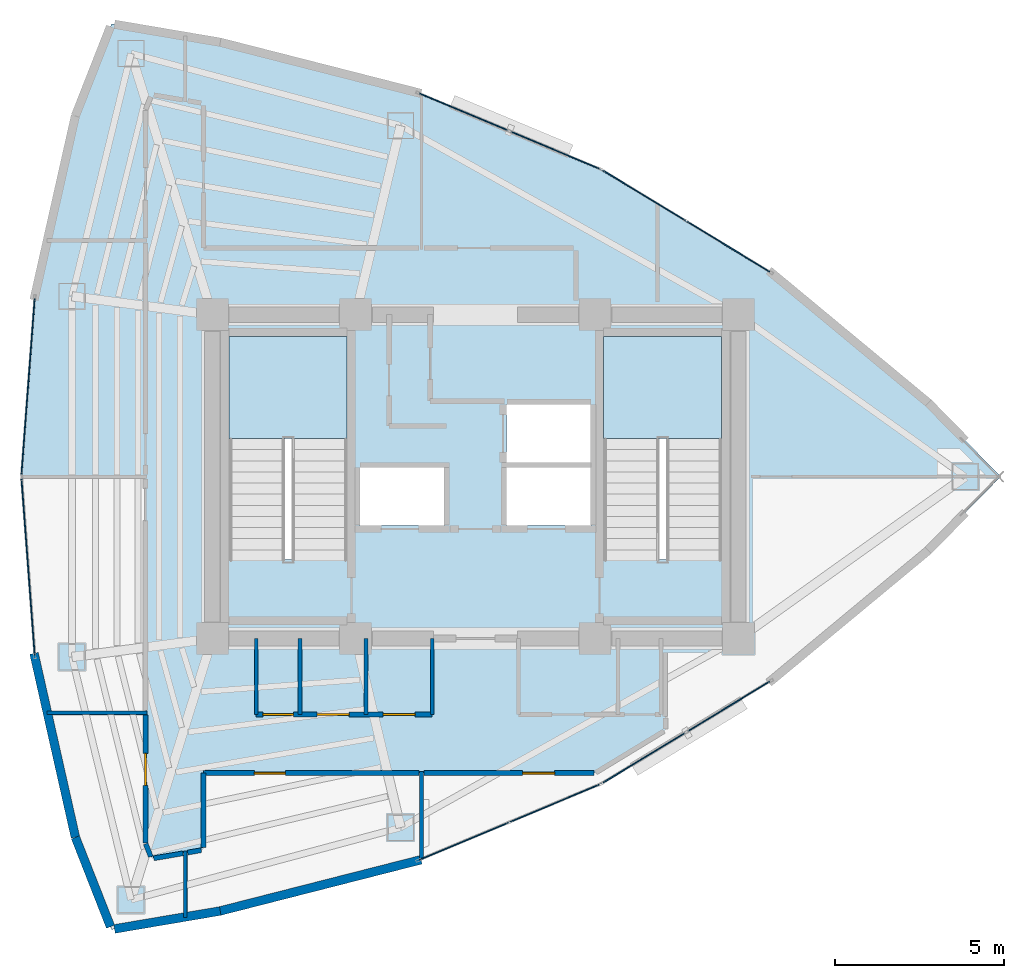
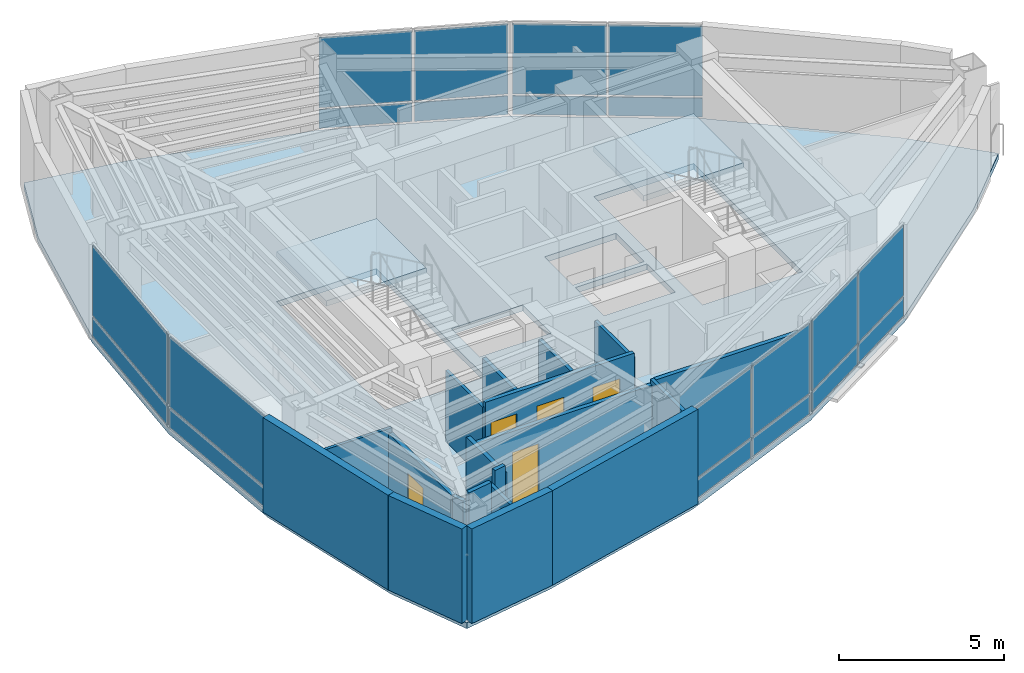
# One storey, part 11 of 15: 20 plates, 19 walls, 6 doors, 3 slabs, 6 openings, 8 elements without a shape of their own.
"""IFC4 building model written with IfcOpenShell, lengths in metres."""

from ifc_helpers import new_model, si_unit, direction, frame, frame_2d, origin, origin_2d, place, context, subcontext, project, spatial, polyline, rectangle, outline, extrude, material, layer, layer_set, type_object, element, fill, aggregate, save


model = new_model("IFC4")

# Units and contexts
model_context = context("Model", 3, precision=1e-05, world=origin(), true_north=direction((0.0, 1.0)))
body_context = subcontext(model_context, "Body", "Model", "MODEL_VIEW")
ifc_project = project(units=[si_unit("LENGTHUNIT", "METRE"), si_unit("AREAUNIT", "SQUARE_METRE"), si_unit("VOLUMEUNIT", "CUBIC_METRE"), si_unit("PLANEANGLEUNIT", "RADIAN"), si_unit("MASSUNIT", "GRAM", prefix="KILO")], contexts=[model_context])

# Site, building, storey
site_placement = place(None, origin())
site = spatial("IfcSite", under=ifc_project, at=site_placement, CompositionType="ELEMENT")
building_placement = place(site_placement, origin())
building = spatial("IfcBuilding", under=site, at=building_placement, Name="Menara Vayukalpa", CompositionType="ELEMENT")
storey_placement = place(building_placement, frame((0.0, 0.0, 291.780029296875)))
storey = spatial("IfcBuildingStorey", under=building, at=storey_placement, Name="L74", CompositionType="ELEMENT", Elevation=291.780029296875)

# Curtain wall, plates
ifc_material_1 = material(Name="Anodised Terracotta Aluminium Alloy 6063-T6", Category="masonry")
ifc_layer_1 = layer(ifc_material_1, 0.1650390625)
ifc_layer_set_1 = layer_set([ifc_layer_1], Name="Anodised Terracotta Aluminium Alloy 6063-T6")
curtain_wall_type = type_object("IfcCurtainWallType", Name="CW-CW6", PredefinedType="USERDEFINED", material=ifc_layer_set_1)
curtain_wall_1_placement = place(storey_placement, origin())
curtain_wall_1 = element("IfcCurtainWall", 1, at=curtain_wall_1_placement, inside=storey, type_object=curtain_wall_type, Name="L74 Observation and Executive Curtain Wall CW6 04", ObjectType="UNITISED", PredefinedType="USERDEFINED")
ifc_material_2 = material(Name="Low-E Double Glazing", Category="glass")
ifc_layer_2 = layer(ifc_material_2, 0.033935546875)
ifc_layer_set_2 = layer_set([ifc_layer_2], Name="Low-E Double Glazing")
plate_type = type_object("IfcPlateType", Name="CWP-CW6", PredefinedType="CURTAIN_PANEL", material=ifc_layer_set_2)
plate_1_placement = place(storey_placement, frame((33.102783203125, 28.814208984375, 0.074951171875), z_axis=(0.0, 0.0, 1.0), x_axis=(-0.854667609532, 0.519175574558, 0.0)))
plate_1 = element("IfcPlate", 2, at=plate_1_placement, type_object=plate_type, Name="CW6 panel 1.1", PredefinedType="CURTAIN_PANEL", context=body_context, shape_type="SweptSolid", body=[
    extrude(rectangle(XDim=2.8486328125, YDim=0.033935546875, at=origin_2d()), origin(), (0.0, 0.0, 1.0), 0.6875),
])
plate_2_placement = place(storey_placement, frame((33.102783203125, 28.814208984375, 0.83740234375), z_axis=(0.0, 0.0, 1.0), x_axis=(-0.854667609532, 0.519175574558, 0.0)))
plate_2 = element("IfcPlate", 3, at=plate_2_placement, type_object=plate_type, Name="CW6 panel 1.2", PredefinedType="CURTAIN_PANEL", context=body_context, shape_type="SweptSolid", body=[
    extrude(rectangle(XDim=2.8486328125, YDim=0.033935546875, at=origin_2d()), origin(), (0.0, 0.0, 1.0), 2.58740234375),
])
plate_3_placement = place(storey_placement, frame((30.608154296875, 30.329345703125, 0.074951171875), z_axis=(0.0, 0.0, 1.0), x_axis=(-0.854667609532, 0.519175574558, 0.0)))
plate_3 = element("IfcPlate", 4, at=plate_3_placement, type_object=plate_type, Name="CW6 panel 2.1", PredefinedType="CURTAIN_PANEL", context=body_context, shape_type="SweptSolid", body=[
    extrude(rectangle(XDim=2.8486328125, YDim=0.033935546875, at=origin_2d()), origin(), (0.0, 0.0, 1.0), 0.6875),
])
plate_4_placement = place(storey_placement, frame((30.608154296875, 30.329345703125, 0.83740234375), z_axis=(0.0, 0.0, 1.0), x_axis=(-0.854667609532, 0.519175574558, 0.0)))
plate_4 = element("IfcPlate", 5, at=plate_4_placement, type_object=plate_type, Name="CW6 panel 2.2", PredefinedType="CURTAIN_PANEL", context=body_context, shape_type="SweptSolid", body=[
    extrude(rectangle(XDim=2.8486328125, YDim=0.033935546875, at=origin_2d()), origin(), (0.0, 0.0, 1.0), 2.58740234375),
])
aggregate(curtain_wall_1, [plate_1, plate_2, plate_3, plate_4])

curtain_wall_2_placement = place(storey_placement, origin())
curtain_wall_2 = element("IfcCurtainWall", 6, at=curtain_wall_2_placement, inside=storey, type_object=curtain_wall_type, Name="L74 Observation and Executive Curtain Wall CW6 05", ObjectType="UNITISED", PredefinedType="USERDEFINED")
plate_5_placement = place(storey_placement, frame((27.952392578125, 31.681884765625, 0.074951171875), z_axis=(0.0, 0.0, 1.0), x_axis=(-0.922540653927, 0.385899911703, 0.0)))
plate_5 = element("IfcPlate", 7, at=plate_5_placement, type_object=plate_type, Name="CW6 panel 1.1", PredefinedType="CURTAIN_PANEL", context=body_context, shape_type="SweptSolid", body=[
    extrude(rectangle(XDim=2.8486328125, YDim=0.033935546875, at=origin_2d()), origin(), (0.0, 0.0, 1.0), 0.6875),
])
plate_6_placement = place(storey_placement, frame((27.952392578125, 31.681884765625, 0.83740234375), z_axis=(0.0, 0.0, 1.0), x_axis=(-0.922540653927, 0.385899911703, 0.0)))
plate_6 = element("IfcPlate", 8, at=plate_6_placement, type_object=plate_type, Name="CW6 panel 1.2", PredefinedType="CURTAIN_PANEL", context=body_context, shape_type="SweptSolid", body=[
    extrude(rectangle(XDim=2.8486328125, YDim=0.033935546875, at=origin_2d()), origin(), (0.0, 0.0, 1.0), 2.58740234375),
])
plate_7_placement = place(storey_placement, frame((25.259765625, 32.808349609375, 0.074951171875), z_axis=(0.0, 0.0, 1.0), x_axis=(-0.922540653927, 0.385899911703, 0.0)))
plate_7 = element("IfcPlate", 9, at=plate_7_placement, type_object=plate_type, Name="CW6 panel 2.1", PredefinedType="CURTAIN_PANEL", context=body_context, shape_type="SweptSolid", body=[
    extrude(rectangle(XDim=2.8486328125, YDim=0.033935546875, at=origin_2d()), origin(), (0.0, 0.0, 1.0), 0.6875),
])
plate_8_placement = place(storey_placement, frame((25.259765625, 32.808349609375, 0.83740234375), z_axis=(0.0, 0.0, 1.0), x_axis=(-0.922540653927, 0.385899911703, 0.0)))
plate_8 = element("IfcPlate", 10, at=plate_8_placement, type_object=plate_type, Name="CW6 panel 2.2", PredefinedType="CURTAIN_PANEL", context=body_context, shape_type="SweptSolid", body=[
    extrude(rectangle(XDim=2.8486328125, YDim=0.033935546875, at=origin_2d()), origin(), (0.0, 0.0, 1.0), 2.58740234375),
])
aggregate(curtain_wall_2, [plate_5, plate_6, plate_7, plate_8])

curtain_wall_3_placement = place(storey_placement, origin())
curtain_wall_3 = element("IfcCurtainWall", 11, at=curtain_wall_3_placement, inside=storey, type_object=curtain_wall_type, Name="L74 Observation and Executive Curtain Wall CW6 10", ObjectType="UNITISED", PredefinedType="USERDEFINED")
plate_9_placement = place(storey_placement, frame((12.33837890625, 24.67333984375, 0.074951171875), z_axis=(0.0, 0.0, 1.0), x_axis=(-0.074789484574, -0.997199344663, 0.0)))
plate_9 = element("IfcPlate", 12, at=plate_9_placement, type_object=plate_type, Name="CW6 panel 1.1", PredefinedType="CURTAIN_PANEL", context=body_context, shape_type="SweptSolid", body=[
    extrude(rectangle(XDim=5.2216796875, YDim=0.033935546875, at=origin_2d()), origin(), (0.0, 0.0, 1.0), 0.6875),
])
plate_10_placement = place(storey_placement, frame((12.33837890625, 24.67333984375, 0.83740234375), z_axis=(0.0, 0.0, 1.0), x_axis=(-0.074789484574, -0.997199344663, 0.0)))
plate_10 = element("IfcPlate", 13, at=plate_10_placement, type_object=plate_type, Name="CW6 panel 1.2", PredefinedType="CURTAIN_PANEL", context=body_context, shape_type="SweptSolid", body=[
    extrude(rectangle(XDim=5.2216796875, YDim=0.033935546875, at=origin_2d()), origin(), (0.0, 0.0, 1.0), 2.58740234375),
])
aggregate(curtain_wall_3, [plate_9, plate_10])

curtain_wall_4_placement = place(storey_placement, origin())
curtain_wall_4 = element("IfcCurtainWall", 14, at=curtain_wall_4_placement, inside=storey, type_object=curtain_wall_type, Name="L74 Observation and Executive Curtain Wall CW6 11", ObjectType="UNITISED", PredefinedType="USERDEFINED")
plate_11_placement = place(storey_placement, frame((12.33837890625, 19.32666015625, 0.074951171875), z_axis=(0.0, 0.0, 1.0), x_axis=(0.074789484574, -0.997199344663, 0.0)))
plate_11 = element("IfcPlate", 15, at=plate_11_placement, type_object=plate_type, Name="CW6 panel 1.1", PredefinedType="CURTAIN_PANEL", context=body_context, shape_type="SweptSolid", body=[
    extrude(rectangle(XDim=5.2216796875, YDim=0.033935546875, at=origin_2d()), origin(), (0.0, 0.0, 1.0), 0.6875),
])
plate_12_placement = place(storey_placement, frame((12.33837890625, 19.32666015625, 0.83740234375), z_axis=(0.0, 0.0, 1.0), x_axis=(0.074789484574, -0.997199344663, 0.0)))
plate_12 = element("IfcPlate", 16, at=plate_12_placement, type_object=plate_type, Name="CW6 panel 1.2", PredefinedType="CURTAIN_PANEL", context=body_context, shape_type="SweptSolid", body=[
    extrude(rectangle(XDim=5.2216796875, YDim=0.033935546875, at=origin_2d()), origin(), (0.0, 0.0, 1.0), 2.58740234375),
])
aggregate(curtain_wall_4, [plate_11, plate_12])

curtain_wall_5_placement = place(storey_placement, origin())
curtain_wall_5 = element("IfcCurtainWall", 17, at=curtain_wall_5_placement, inside=storey, type_object=curtain_wall_type, Name="L74 Observation and Executive Curtain Wall CW6 16", ObjectType="UNITISED", PredefinedType="USERDEFINED")
plate_13_placement = place(storey_placement, frame((25.259765625, 11.191650390625, 0.074951171875), z_axis=(0.0, 0.0, 1.0), x_axis=(0.922540653927, 0.385899911703, 0.0)))
plate_13 = element("IfcPlate", 18, at=plate_13_placement, type_object=plate_type, Name="CW6 panel 1.1", PredefinedType="CURTAIN_PANEL", context=body_context, shape_type="SweptSolid", body=[
    extrude(rectangle(XDim=2.8486328125, YDim=0.033935546875, at=origin_2d()), origin(), (0.0, 0.0, 1.0), 0.6875),
])
plate_14_placement = place(storey_placement, frame((25.259765625, 11.191650390625, 0.83740234375), z_axis=(0.0, 0.0, 1.0), x_axis=(0.922540653927, 0.385899911703, 0.0)))
plate_14 = element("IfcPlate", 19, at=plate_14_placement, type_object=plate_type, Name="CW6 panel 1.2", PredefinedType="CURTAIN_PANEL", context=body_context, shape_type="SweptSolid", body=[
    extrude(rectangle(XDim=2.8486328125, YDim=0.033935546875, at=origin_2d()), origin(), (0.0, 0.0, 1.0), 2.58740234375),
])
plate_15_placement = place(storey_placement, frame((27.952392578125, 12.318115234375, 0.074951171875), z_axis=(0.0, 0.0, 1.0), x_axis=(0.922540653927, 0.385899911703, 0.0)))
plate_15 = element("IfcPlate", 20, at=plate_15_placement, type_object=plate_type, Name="CW6 panel 2.1", PredefinedType="CURTAIN_PANEL", context=body_context, shape_type="SweptSolid", body=[
    extrude(rectangle(XDim=2.8486328125, YDim=0.033935546875, at=origin_2d()), origin(), (0.0, 0.0, 1.0), 0.6875),
])
plate_16_placement = place(storey_placement, frame((27.952392578125, 12.318115234375, 0.83740234375), z_axis=(0.0, 0.0, 1.0), x_axis=(0.922540653927, 0.385899911703, 0.0)))
plate_16 = element("IfcPlate", 21, at=plate_16_placement, type_object=plate_type, Name="CW6 panel 2.2", PredefinedType="CURTAIN_PANEL", context=body_context, shape_type="SweptSolid", body=[
    extrude(rectangle(XDim=2.8486328125, YDim=0.033935546875, at=origin_2d()), origin(), (0.0, 0.0, 1.0), 2.58740234375),
])
aggregate(curtain_wall_5, [plate_13, plate_14, plate_15, plate_16])

curtain_wall_6_placement = place(storey_placement, origin())
curtain_wall_6 = element("IfcCurtainWall", 22, at=curtain_wall_6_placement, inside=storey, type_object=curtain_wall_type, Name="L74 Observation and Executive Curtain Wall CW6 17", ObjectType="UNITISED", PredefinedType="USERDEFINED")
plate_17_placement = place(storey_placement, frame((30.608154296875, 13.670654296875, 0.074951171875), z_axis=(0.0, 0.0, 1.0), x_axis=(0.854667609532, 0.519175574558, 0.0)))
plate_17 = element("IfcPlate", 23, at=plate_17_placement, type_object=plate_type, Name="CW6 panel 1.1", PredefinedType="CURTAIN_PANEL", context=body_context, shape_type="SweptSolid", body=[
    extrude(rectangle(XDim=2.8486328125, YDim=0.033935546875, at=origin_2d()), origin(), (0.0, 0.0, 1.0), 0.6875),
])
plate_18_placement = place(storey_placement, frame((30.608154296875, 13.670654296875, 0.83740234375), z_axis=(0.0, 0.0, 1.0), x_axis=(0.854667609532, 0.519175574558, 0.0)))
plate_18 = element("IfcPlate", 24, at=plate_18_placement, type_object=plate_type, Name="CW6 panel 1.2", PredefinedType="CURTAIN_PANEL", context=body_context, shape_type="SweptSolid", body=[
    extrude(rectangle(XDim=2.8486328125, YDim=0.033935546875, at=origin_2d()), origin(), (0.0, 0.0, 1.0), 2.58740234375),
])
plate_19_placement = place(storey_placement, frame((33.102783203125, 15.185791015625, 0.074951171875), z_axis=(0.0, 0.0, 1.0), x_axis=(0.854667609532, 0.519175574558, 0.0)))
plate_19 = element("IfcPlate", 25, at=plate_19_placement, type_object=plate_type, Name="CW6 panel 2.1", PredefinedType="CURTAIN_PANEL", context=body_context, shape_type="SweptSolid", body=[
    extrude(rectangle(XDim=2.8486328125, YDim=0.033935546875, at=origin_2d()), origin(), (0.0, 0.0, 1.0), 0.6875),
])
plate_20_placement = place(storey_placement, frame((33.102783203125, 15.185791015625, 0.83740234375), z_axis=(0.0, 0.0, 1.0), x_axis=(0.854667609532, 0.519175574558, 0.0)))
plate_20 = element("IfcPlate", 26, at=plate_20_placement, type_object=plate_type, Name="CW6 panel 2.2", PredefinedType="CURTAIN_PANEL", context=body_context, shape_type="SweptSolid", body=[
    extrude(rectangle(XDim=2.8486328125, YDim=0.033935546875, at=origin_2d()), origin(), (0.0, 0.0, 1.0), 2.58740234375),
])
aggregate(curtain_wall_6, [plate_17, plate_18, plate_19, plate_20])

# Slab
ifc_material_3 = material(Name="Concrete C40/50", Category="concrete")
ifc_layer_3 = layer(ifc_material_3, 0.219970703125)
ifc_layer_set_3 = layer_set([ifc_layer_3], Name="Concrete C40/50")
slab_type_1 = type_object("IfcSlabType", Name="SLB-FL220", PredefinedType="FLOOR", material=ifc_layer_set_3)
slab_1_placement = place(storey_placement, frame((0.0, 0.0, -0.219970703125)))
element("IfcSlab", 27, at=slab_1_placement, inside=storey, type_object=slab_type_1, Name="L74 Structural Floor Slab", PredefinedType="FLOOR", context=body_context, shape_type="SweptSolid", body=[
    extrude(outline(polyline([(39.02783203125, 19.816162109375), (41.171875, 22.0), (39.02783203125, 24.183837890625), (34.3798828125, 28.038330078125), (29.3310546875, 31.105224609375), (23.881103515625, 33.385009765625), (18.0302734375, 34.877197265625), (14.814208984375, 35.423095703125), (13.741943359375, 32.693359375), (12.5390625, 27.3466796875), (12.137939453125, 22.0), (12.5390625, 16.6533203125), (13.741943359375, 11.306640625), (14.814208984375, 8.576904296875), (18.0302734375, 9.122802734375), (23.881103515625, 10.614990234375), (29.3310546875, 12.894775390625), (34.3798828125, 15.961669921875), (39.02783203125, 19.816162109375)]), holes=[polyline([(21.800048828125, 19.550048828125), (21.800048828125, 26.14990234375), (18.300048828125, 26.14990234375), (18.300048828125, 19.550048828125), (21.800048828125, 19.550048828125)]), polyline([(32.89990234375, 19.550048828125), (32.89990234375, 26.14990234375), (29.39990234375, 26.14990234375), (29.39990234375, 19.550048828125), (32.89990234375, 19.550048828125)]), polyline([(22.179931640625, 20.550048828125), (24.679931640625, 20.550048828125), (24.679931640625, 22.27001953125), (22.179931640625, 22.27001953125), (22.179931640625, 20.550048828125)]), polyline([(26.52001953125, 20.550048828125), (29.02001953125, 20.550048828125), (29.02001953125, 22.27001953125), (26.52001953125, 22.27001953125), (26.52001953125, 20.550048828125)]), polyline([(26.52001953125, 22.419921875), (29.02001953125, 22.419921875), (29.02001953125, 24.139892578125), (26.52001953125, 24.139892578125), (26.52001953125, 22.419921875)])]), origin(), (0.0, 0.0, 1.0), 0.219970703125),
])

# Stair, slab
ifc_material_4 = material(Name="Precast Concrete C40/50", Category="concrete")
stair_type = type_object("IfcStairType", Name="STR-T04", PredefinedType="DOUBLE_RETURN_STAIR", material=ifc_material_4)
stair_1_placement = place(storey_placement, origin())
stair_1 = element("IfcStair", 28, at=stair_1_placement, inside=storey, type_object=stair_type, Name="L74 Core Exit Stair ST-1", PredefinedType="DOUBLE_RETURN_STAIR")
ifc_material_5 = material(Name="Precast Concrete C40/50", Category="concrete")
ifc_layer_4 = layer(ifc_material_5, 0.199951171875)
ifc_layer_set_4 = layer_set([ifc_layer_4], Name="Precast Concrete C40/50")
slab_type_2 = type_object("IfcSlabType", Name="SLB-LND200", PredefinedType="LANDING", material=ifc_layer_set_4)
slab_2_placement = place(storey_placement, frame((0.0, 0.0, 1.659912109375)))
slab_2 = element("IfcSlab", 29, at=slab_2_placement, type_object=slab_type_2, Name="ST-1 landing 1", PredefinedType="LANDING", context=body_context, shape_type="SweptSolid", body=[
    extrude(outline(polyline([(21.800048828125, 23.1298828125), (21.800048828125, 26.14990234375), (18.300048828125, 26.14990234375), (18.300048828125, 23.1298828125), (21.800048828125, 23.1298828125)])), origin(), (0.0, 0.0, 1.0), 0.199951171875),
])
aggregate(stair_1, [slab_2])

stair_2_placement = place(storey_placement, origin())
stair_2 = element("IfcStair", 30, at=stair_2_placement, inside=storey, type_object=stair_type, Name="L74 Core Exit Stair ST-2", PredefinedType="DOUBLE_RETURN_STAIR")
slab_3_placement = place(storey_placement, frame((0.0, 0.0, 1.659912109375)))
slab_3 = element("IfcSlab", 31, at=slab_3_placement, type_object=slab_type_2, Name="ST-2 landing 1", PredefinedType="LANDING", context=body_context, shape_type="SweptSolid", body=[
    extrude(outline(polyline([(32.89990234375, 23.1298828125), (32.89990234375, 26.14990234375), (29.39990234375, 26.14990234375), (29.39990234375, 23.1298828125), (32.89990234375, 23.1298828125)])), origin(), (0.0, 0.0, 1.0), 0.199951171875),
])
aggregate(stair_2, [slab_3])

# Walls
ifc_material_6 = material(Name="Insulated Precast Concrete C40/50", Category="concrete")
ifc_layer_5 = layer(ifc_material_6, 0.260009765625)
ifc_layer_set_5 = layer_set([ifc_layer_5], Name="Insulated Precast Concrete C40/50")
wall_type_1 = type_object("IfcWallType", Name="WAL-EXT260", PredefinedType="PARTITIONING", material=ifc_layer_set_5)
wall_1_placement = place(storey_placement, frame((13.741943359375, 11.306640625, 0.0), z_axis=(0.0, 0.0, 1.0), x_axis=(-0.219500763731, 0.97561232809, 0.0)))
element("IfcWall", 32, at=wall_1_placement, inside=storey, type_object=wall_type_1, Name="L74 Perimeter Terracotta Pier Wall 12", PredefinedType="PARTITIONING", context=body_context, shape_type="SweptSolid", body=[
    extrude(rectangle(XDim=5.590087890625, YDim=0.260009765625, at=frame_2d((2.794921875, 0.0))), origin(), (0.0, 0.0, 1.0), 3.5),
])
wall_2_placement = place(storey_placement, frame((14.7822265625, 8.658203125, 0.0), z_axis=(0.0, 0.0, 1.0), x_axis=(-0.36559927932, 0.930772349697, 0.0)))
element("IfcWall", 33, at=wall_2_placement, inside=storey, type_object=wall_type_1, Name="L74 Perimeter Terracotta Pier Wall 13", PredefinedType="PARTITIONING", context=body_context, shape_type="SweptSolid", body=[
    extrude(rectangle(XDim=2.845458984375, YDim=0.260009765625, at=frame_2d((1.4228515625, 0.0))), origin(), (0.0, 0.0, 1.0), 3.5),
])
wall_3_placement = place(storey_placement, frame((18.0361328125, 9.123779296875, 0.0), z_axis=(0.0, 0.0, 1.0), x_axis=(-0.985889432766, -0.167397808709, 0.0)))
element("IfcWall", 34, at=wall_3_placement, inside=storey, type_object=wall_type_1, Name="L74 Perimeter Terracotta Pier Wall 14", PredefinedType="PARTITIONING", context=body_context, shape_type="SweptSolid", body=[
    extrude(rectangle(XDim=3.180908203125, YDim=0.260009765625, at=frame_2d((1.59033203125, 0.0))), origin(), (0.0, 0.0, 1.0), 3.5),
])
wall_4_placement = place(storey_placement, frame((23.98779296875, 10.64208984375, 0.0), z_axis=(0.0, 0.0, 1.0), x_axis=(-0.968988278672, -0.247106689096, 0.0)))
element("IfcWall", 35, at=wall_4_placement, inside=storey, type_object=wall_type_1, Name="L74 Perimeter Terracotta Pier Wall 15", PredefinedType="PARTITIONING", context=body_context, shape_type="SweptSolid", body=[
    extrude(rectangle(XDim=6.154296875, YDim=0.260009765625, at=frame_2d((3.0771484375, 0.0))), origin(), (0.0, 0.0, 1.0), 3.5),
])
ifc_material_7 = material(Name="Glazed Demountable Office Partition", Category="glass")
ifc_layer_6 = layer(ifc_material_7, 0.094970703125)
ifc_layer_set_6 = layer_set([ifc_layer_6], Name="Glazed Demountable Office Partition")
wall_type_2 = type_object("IfcWallType", Name="WAL-PT100", PredefinedType="PARTITIONING", material=ifc_layer_set_6)
wall_5_placement = place(storey_placement, frame((12.900634765625, 15.0, 0.0), z_axis=(0.0, 0.0, 1.0), x_axis=(1.0, 0.0, 0.0)))
element("IfcWall", 36, at=wall_5_placement, inside=storey, type_object=wall_type_2, Name="L74 Interior Partition IW-L74-RDIV06", PredefinedType="PARTITIONING", context=body_context, shape_type="SweptSolid", body=[
    extrude(rectangle(XDim=2.969482421875, YDim=0.094970703125, at=frame_2d((1.48486328125, 0.0))), origin(), (0.0, 0.0, 1.0), 2.97998046875),
])
ifc_material_8 = material(Name="Acoustic Mineral Stud Partition", Category="masonry")
ifc_layer_7 = layer(ifc_material_8, 0.110107421875)
ifc_layer_set_7 = layer_set([ifc_layer_7], Name="Acoustic Mineral Stud Partition")
wall_type_3 = type_object("IfcWallType", Name="WAL-PT110", PredefinedType="PARTITIONING", material=ifc_layer_set_7)
for number, where, z_axis, x_axis, name in (
    (37, (19.10009765625, 14.949951171875, 0.0), (0.0, 0.0, 1.0), (0.0, 1.0, 0.0), "L74 Interior Partition IW-L74-SVCD-01"),
    (38, (24.320068359375, 14.949951171875, 0.0), (0.0, 0.0, 1.0), (0.0, 1.0, 0.0), "L74 Interior Partition IW-L74-SVCD-04"),
):
    element("IfcWall", number, at=place(storey_placement, frame(where, z_axis=z_axis, x_axis=x_axis)), inside=storey, type_object=wall_type_3, Name=name, PredefinedType="PARTITIONING", context=body_context, shape_type="SweptSolid", body=[
        extrude(rectangle(XDim=2.25, YDim=0.110107421875, at=frame_2d((1.125, 0.0))), origin(), (0.0, 0.0, 1.0), 2.6298828125),
    ])
wall_6_placement = place(storey_placement, frame((17.0, 8.937744140625, 0.0), z_axis=(0.0, 0.0, 1.0), x_axis=(0.0, 1.0, 0.0)))
element("IfcWall", 39, at=wall_6_placement, inside=storey, type_object=wall_type_3, Name="L74 Interior Partition IW-L74-RDIV01", PredefinedType="PARTITIONING", context=body_context, shape_type="SweptSolid", body=[
    extrude(rectangle(XDim=1.957763671875, YDim=0.110107421875, at=frame_2d((0.97900390625, 0.0))), origin(), (0.0, 0.0, 1.0), 2.97998046875),
])
ifc_material_9 = material(Name="Gypsum Drywall Steel Stud Assembly", Category="steel")
ifc_layer_8 = layer(ifc_material_9, 0.125)
ifc_layer_set_8 = layer_set([ifc_layer_8], Name="Gypsum Drywall Steel Stud Assembly")
wall_type_4 = type_object("IfcWallType", Name="WAL-PT125", PredefinedType="PARTITIONING", material=ifc_layer_set_8)
for number, where, z_axis, x_axis, name in (
    (40, (20.39990234375, 14.949951171875, 0.0), (0.0, 0.0, 1.0), (0.0, 1.0, 0.0), "L74 Interior Partition IW-L74-SVCD-02"),
    (41, (22.360107421875, 14.949951171875, 0.0), (0.0, 0.0, 1.0), (0.0, 1.0, 0.0), "L74 Interior Partition IW-L74-SVCD-03"),
):
    element("IfcWall", number, at=place(storey_placement, frame(where, z_axis=z_axis, x_axis=x_axis)), inside=storey, type_object=wall_type_4, Name=name, PredefinedType="PARTITIONING", context=body_context, shape_type="SweptSolid", body=[
        extrude(rectangle(XDim=2.25, YDim=0.125, at=frame_2d((1.125, 0.0))), origin(), (0.0, 0.0, 1.0), 2.6298828125),
    ])
wall_7_placement = place(storey_placement, frame((24.0, 10.65380859375, 0.0), z_axis=(0.0, 0.0, 1.0), x_axis=(0.0, 1.0, 0.0)))
element("IfcWall", 42, at=wall_7_placement, inside=storey, type_object=wall_type_4, Name="L74 Interior Partition IW-L74-RDIV03", PredefinedType="PARTITIONING", context=body_context, shape_type="SweptSolid", body=[
    extrude(rectangle(XDim=2.606201171875, YDim=0.125, at=frame_2d((1.30322265625, 0.0))), origin(), (0.0, 0.0, 1.0), 2.97998046875),
])

# Wall, openings, doors
ifc_material_10 = material(Name="Gypsum Drywall Acoustic Stud Assembly", Category="masonry")
ifc_layer_9 = layer(ifc_material_10, 0.14501953125)
ifc_layer_set_9 = layer_set([ifc_layer_9], Name="Gypsum Drywall Acoustic Stud Assembly")
wall_type_5 = type_object("IfcWallType", Name="WAL-PT150", PredefinedType="PARTITIONING", material=ifc_layer_set_9)
wall_8_placement = place(storey_placement, frame((19.10009765625, 14.949951171875, 0.0), z_axis=(0.0, 0.0, 1.0), x_axis=(1.0, 0.0, 0.0)))
wall_8 = element("IfcWall", 43, at=wall_8_placement, inside=storey, type_object=wall_type_5, Name="L74 Interior Partition IW-L74-SVCS-W", PredefinedType="PARTITIONING", context=body_context, shape_type="SweptSolid", body=[
    extrude(rectangle(XDim=5.219970703125, YDim=0.14501953125, at=frame_2d((2.60986328125, 0.0))), origin(), (0.0, 0.0, 1.0), 2.830078125),
])
opening_1_placement = place(wall_8_placement, frame((0.199951171875, 0.0, 0.0)))
opening_1 = element("IfcOpeningElement", 44, at=opening_1_placement, cuts=wall_8, Name="Opening ID7", PredefinedType="OPENING", context=body_context, shape_type="SweptSolid", body=[
    extrude(rectangle(XDim=0.89990234375, YDim=2.02001953125, at=frame_2d((0.449951171875, 1.010009765625))), frame((0.0, 0.08251953125, 0.0), z_axis=(0.0, -1.0, 0.0), x_axis=(1.0, 0.0, 0.0)), (0.0, 0.0, 1.0), 0.1650390625),
])
opening_2_placement = place(wall_8_placement, frame((1.804931640625, 0.0, 0.0)))
opening_2 = element("IfcOpeningElement", 45, at=opening_2_placement, cuts=wall_8, Name="Opening ID5", PredefinedType="OPENING", context=body_context, shape_type="SweptSolid", body=[
    extrude(rectangle(XDim=0.949951171875, YDim=2.06005859375, at=frame_2d((0.47509765625, 1.030029296875))), frame((0.0, 0.08251953125, 0.0), z_axis=(0.0, -1.0, 0.0), x_axis=(1.0, 0.0, 0.0)), (0.0, 0.0, 1.0), 0.1650390625),
])
opening_3_placement = place(wall_8_placement, frame((3.764892578125, 0.0, 0.0)))
opening_3 = element("IfcOpeningElement", 46, at=opening_3_placement, cuts=wall_8, Name="Opening ID5", PredefinedType="OPENING", context=body_context, shape_type="SweptSolid", body=[
    extrude(rectangle(XDim=0.949951171875, YDim=2.06005859375, at=frame_2d((0.47509765625, 1.030029296875))), frame((0.0, 0.08251953125, 0.0), z_axis=(0.0, -1.0, 0.0), x_axis=(1.0, 0.0, 0.0)), (0.0, 0.0, 1.0), 0.1650390625),
])
ifc_material_11 = material(Name="Acoustic Hardwood Veneer Timber Door", Category="wood")
door_type_1 = type_object("IfcDoorType", Name="DR-INT95", OperationType="NOTDEFINED", PredefinedType="DOOR", material=ifc_material_11)
door_1_placement = place(opening_2_placement, origin())
door_1 = element("IfcDoor", 47, at=door_1_placement, inside=storey, type_object=door_type_1, Name="L74 Interior Door DR-L74-AWC", OperationType="SINGLE_SWING_RIGHT", OverallHeight=2.06005859375, OverallWidth=0.949951171875, PredefinedType="DOOR", context=body_context, shape_type="SweptSolid", body=[
    extrude(rectangle(XDim=0.949951171875, YDim=2.06005859375, at=frame_2d((0.47509765625, 1.030029296875))), frame((0.0, 0.02490234375, 0.0), z_axis=(0.0, -1.0, 0.0), x_axis=(1.0, 0.0, 0.0)), (0.0, 0.0, 1.0), 0.050048828125),
])
fill(opening_2, door_1)
door_2_placement = place(opening_3_placement, origin())
door_2 = element("IfcDoor", 48, at=door_2_placement, inside=storey, type_object=door_type_1, Name="L74 Interior Door DR-L74-SWC", OperationType="SINGLE_SWING_LEFT", OverallHeight=2.06005859375, OverallWidth=0.949951171875, PredefinedType="DOOR", context=body_context, shape_type="SweptSolid", body=[
    extrude(rectangle(XDim=0.949951171875, YDim=2.06005859375, at=frame_2d((0.47509765625, 1.030029296875))), frame((0.0, 0.02490234375, 0.0), z_axis=(0.0, -1.0, 0.0), x_axis=(1.0, 0.0, 0.0)), (0.0, 0.0, 1.0), 0.050048828125),
])
fill(opening_3, door_2)
ifc_material_12 = material(Name="Powder-Coated Steel Riser Access Door", Category="steel")
door_type_2 = type_object("IfcDoorType", Name="DR-RISER", OperationType="NOTDEFINED", PredefinedType="DOOR", material=ifc_material_12)
door_3_placement = place(opening_1_placement, origin())
door_3 = element("IfcDoor", 49, at=door_3_placement, inside=storey, type_object=door_type_2, Name="L74 Interior Door DR-L74-ELR", OperationType="SINGLE_SWING_LEFT", OverallHeight=2.02001953125, OverallWidth=0.89990234375, PredefinedType="DOOR", context=body_context, shape_type="SweptSolid", body=[
    extrude(rectangle(XDim=0.89990234375, YDim=2.02001953125, at=frame_2d((0.449951171875, 1.010009765625))), frame((0.0, 0.02490234375, 0.0), z_axis=(0.0, -1.0, 0.0), x_axis=(1.0, 0.0, 0.0)), (0.0, 0.0, 1.0), 0.050048828125),
])
fill(opening_1, door_3)

# Wall, opening, door
wall_9_placement = place(storey_placement, frame((15.820068359375, 14.929931640625, 0.0), z_axis=(0.0, 0.0, 1.0), x_axis=(0.0, -1.0, 0.0)))
wall_9 = element("IfcWall", 50, at=wall_9_placement, inside=storey, type_object=wall_type_5, Name="L74 Interior Partition IW-L74-CRM03-1", PredefinedType="PARTITIONING", context=body_context, shape_type="SweptSolid", body=[
    extrude(rectangle(XDim=3.78369140625, YDim=0.14501953125, at=frame_2d((1.891845703125, 0.0))), origin(), (0.0, 0.0, 1.0), 2.830078125),
])
opening_4_placement = place(wall_9_placement, frame((1.1328125, 0.0, 0.0)))
opening_4 = element("IfcOpeningElement", 51, at=opening_4_placement, cuts=wall_9, Name="Opening ID5", PredefinedType="OPENING", context=body_context, shape_type="SweptSolid", body=[
    extrude(rectangle(XDim=0.949951171875, YDim=2.06005859375, at=frame_2d((0.47509765625, 1.030029296875))), frame((0.0, 0.08251953125, 0.0), z_axis=(0.0, -1.0, 0.0), x_axis=(1.0, 0.0, 0.0)), (0.0, 0.0, 1.0), 0.1650390625),
])
door_4_placement = place(opening_4_placement, origin())
door_4 = element("IfcDoor", 52, at=door_4_placement, inside=storey, type_object=door_type_1, Name="L74 Interior Door DR-L74-RM03", OperationType="SINGLE_SWING_LEFT", OverallHeight=2.06005859375, OverallWidth=0.949951171875, PredefinedType="DOOR", context=body_context, shape_type="SweptSolid", body=[
    extrude(rectangle(XDim=0.949951171875, YDim=2.06005859375, at=frame_2d((0.47509765625, 1.030029296875))), frame((0.0, 0.02490234375, 0.0), z_axis=(0.0, -1.0, 0.0), x_axis=(1.0, 0.0, 0.0)), (0.0, 0.0, 1.0), 0.050048828125),
])
fill(opening_4, door_4)

# Walls
wall_10_placement = place(storey_placement, frame((15.825439453125, 11.116943359375, 0.0), z_axis=(0.0, 0.0, 1.0), x_axis=(0.365633948196, -0.930758731319, 0.0)))
element("IfcWall", 53, at=wall_10_placement, inside=storey, type_object=wall_type_5, Name="L74 Interior Partition IW-L74-CRM03-2", PredefinedType="PARTITIONING", context=body_context, shape_type="SweptSolid", body=[
    extrude(rectangle(XDim=0.409912109375, YDim=0.14501953125, at=frame_2d((0.205078125, 0.0))), origin(), (0.0, 0.0, 1.0), 2.830078125),
])
wall_11_placement = place(storey_placement, frame((16.063232421875, 10.685546875, 0.0), z_axis=(0.0, 0.0, 1.0), x_axis=(0.985878779942, 0.167460536424, 0.0)))
element("IfcWall", 54, at=wall_11_placement, inside=storey, type_object=wall_type_5, Name="L74 Interior Partition IW-L74-CRM03-3", PredefinedType="PARTITIONING", context=body_context, shape_type="SweptSolid", body=[
    extrude(rectangle(XDim=0.879150390625, YDim=0.14501953125, at=frame_2d((0.439453125, 0.0))), origin(), (0.0, 0.0, 1.0), 3.1298828125),
])
wall_12_placement = place(storey_placement, frame((17.070068359375, 10.8564453125, 0.0), z_axis=(0.0, 0.0, 1.0), x_axis=(0.985840066474, 0.167688292179, 0.0)))
element("IfcWall", 55, at=wall_12_placement, inside=storey, type_object=wall_type_5, Name="L74 Interior Partition IW-L74-CRM04-1", PredefinedType="PARTITIONING", context=body_context, shape_type="SweptSolid", body=[
    extrude(rectangle(XDim=0.4091796875, YDim=0.14501953125, at=frame_2d((0.20458984375, 0.0))), origin(), (0.0, 0.0, 1.0), 3.5),
])
wall_13_placement = place(storey_placement, frame((17.5400390625, 11.00390625, 0.0), z_axis=(0.0, 0.0, 1.0), x_axis=(0.0, 1.0, 0.0)))
element("IfcWall", 56, at=wall_13_placement, inside=storey, type_object=wall_type_5, Name="L74 Interior Partition IW-L74-CRM04-2", PredefinedType="PARTITIONING", context=body_context, shape_type="SweptSolid", body=[
    extrude(rectangle(XDim=2.2060546875, YDim=0.14501953125, at=frame_2d((1.10302734375, 0.0))), origin(), (0.0, 0.0, 1.0), 3.1298828125),
])

# Wall, opening, door
wall_14_placement = place(storey_placement, frame((17.5400390625, 13.2099609375, 0.0), z_axis=(0.0, 0.0, 1.0), x_axis=(1.0, 0.0, 0.0)))
wall_14 = element("IfcWall", 57, at=wall_14_placement, inside=storey, type_object=wall_type_5, Name="L74 Interior Partition IW-L74-CRM04-3", PredefinedType="PARTITIONING", context=body_context, shape_type="SweptSolid", body=[
    extrude(rectangle(XDim=6.389892578125, YDim=0.14501953125, at=frame_2d((3.19482421875, 0.0))), origin(), (0.0, 0.0, 1.0), 2.830078125),
])
opening_5_placement = place(wall_14_placement, frame((1.507568359375, 0.0, 0.0)))
opening_5 = element("IfcOpeningElement", 58, at=opening_5_placement, cuts=wall_14, Name="Opening ID6", PredefinedType="OPENING", context=body_context, shape_type="SweptSolid", body=[
    extrude(rectangle(XDim=0.919921875, YDim=2.050048828125, at=frame_2d((0.4599609375, 1.02490234375))), frame((0.0, 0.08251953125, 0.0), z_axis=(0.0, -1.0, 0.0), x_axis=(1.0, 0.0, 0.0)), (0.0, 0.0, 1.0), 0.1650390625),
])
ifc_material_13 = material(Name="Acoustic Hardwood Veneer Timber Door", Category="wood")
door_type_3 = type_object("IfcDoorType", Name="DR-INT92", OperationType="NOTDEFINED", PredefinedType="DOOR", material=ifc_material_13)
door_5_placement = place(opening_5_placement, origin())
door_5 = element("IfcDoor", 59, at=door_5_placement, inside=storey, type_object=door_type_3, Name="L74 Interior Door DR-L74-RM04", OperationType="SINGLE_SWING_RIGHT", OverallHeight=2.050048828125, OverallWidth=0.919921875, PredefinedType="DOOR", context=body_context, shape_type="SweptSolid", body=[
    extrude(rectangle(XDim=0.919921875, YDim=2.050048828125, at=frame_2d((0.4599609375, 1.02490234375))), frame((0.0, 0.02490234375, 0.0), z_axis=(0.0, -1.0, 0.0), x_axis=(1.0, 0.0, 0.0)), (0.0, 0.0, 1.0), 0.050048828125),
])
fill(opening_5, door_5)

wall_15_placement = place(storey_placement, frame((24.070068359375, 13.2099609375, 0.0), z_axis=(0.0, 0.0, 1.0), x_axis=(1.0, 0.0, 0.0)))
wall_15 = element("IfcWall", 60, at=wall_15_placement, inside=storey, type_object=wall_type_5, Name="L74 Interior Partition IW-L74-CRM05-1", PredefinedType="PARTITIONING", context=body_context, shape_type="SweptSolid", body=[
    extrude(rectangle(XDim=5.039794921875, YDim=0.14501953125, at=frame_2d((2.52001953125, 0.0))), origin(), (0.0, 0.0, 1.0), 2.97998046875),
])
opening_6_placement = place(wall_15_placement, frame((2.927490234375, 0.0, 0.0)))
opening_6 = element("IfcOpeningElement", 61, at=opening_6_placement, cuts=wall_15, Name="Opening ID5", PredefinedType="OPENING", context=body_context, shape_type="SweptSolid", body=[
    extrude(rectangle(XDim=0.949951171875, YDim=2.06005859375, at=frame_2d((0.47509765625, 1.030029296875))), frame((0.0, 0.08251953125, 0.0), z_axis=(0.0, -1.0, 0.0), x_axis=(1.0, 0.0, 0.0)), (0.0, 0.0, 1.0), 0.1650390625),
])
door_6_placement = place(opening_6_placement, origin())
door_6 = element("IfcDoor", 62, at=door_6_placement, inside=storey, type_object=door_type_1, Name="L74 Interior Door DR-L74-RM05", OperationType="SINGLE_SWING_LEFT", OverallHeight=2.06005859375, OverallWidth=0.949951171875, PredefinedType="DOOR", context=body_context, shape_type="SweptSolid", body=[
    extrude(rectangle(XDim=0.949951171875, YDim=2.06005859375, at=frame_2d((0.47509765625, 1.030029296875))), frame((0.0, 0.02490234375, 0.0), z_axis=(0.0, -1.0, 0.0), x_axis=(1.0, 0.0, 0.0)), (0.0, 0.0, 1.0), 0.050048828125),
])
fill(opening_6, door_6)

save(model, "model.ifc")
